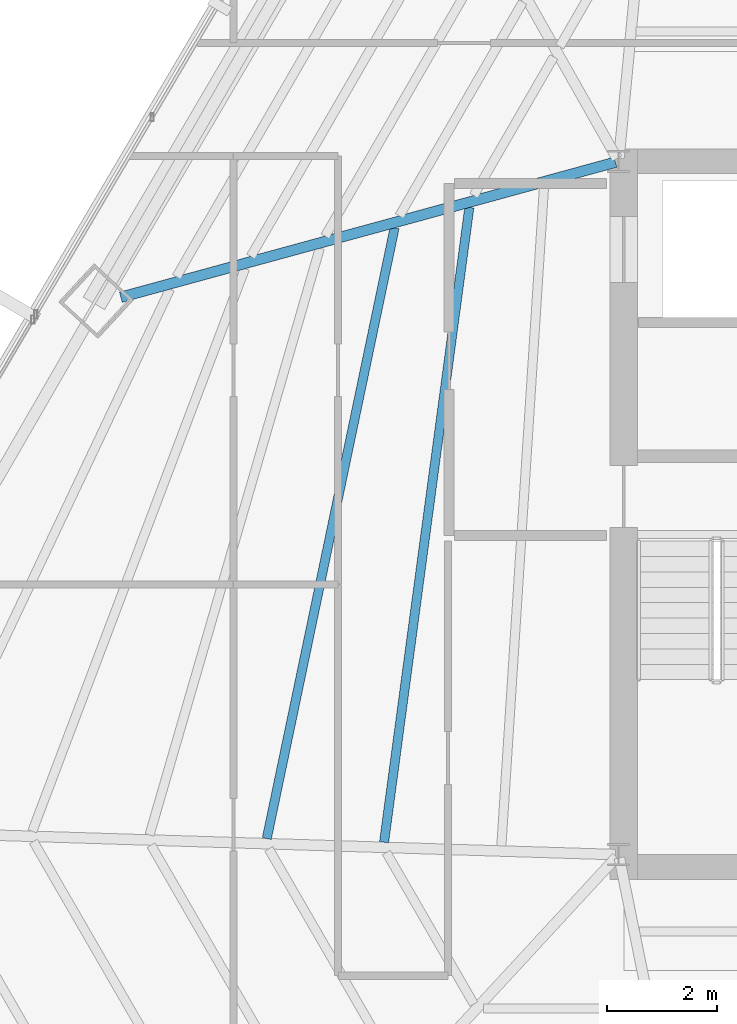
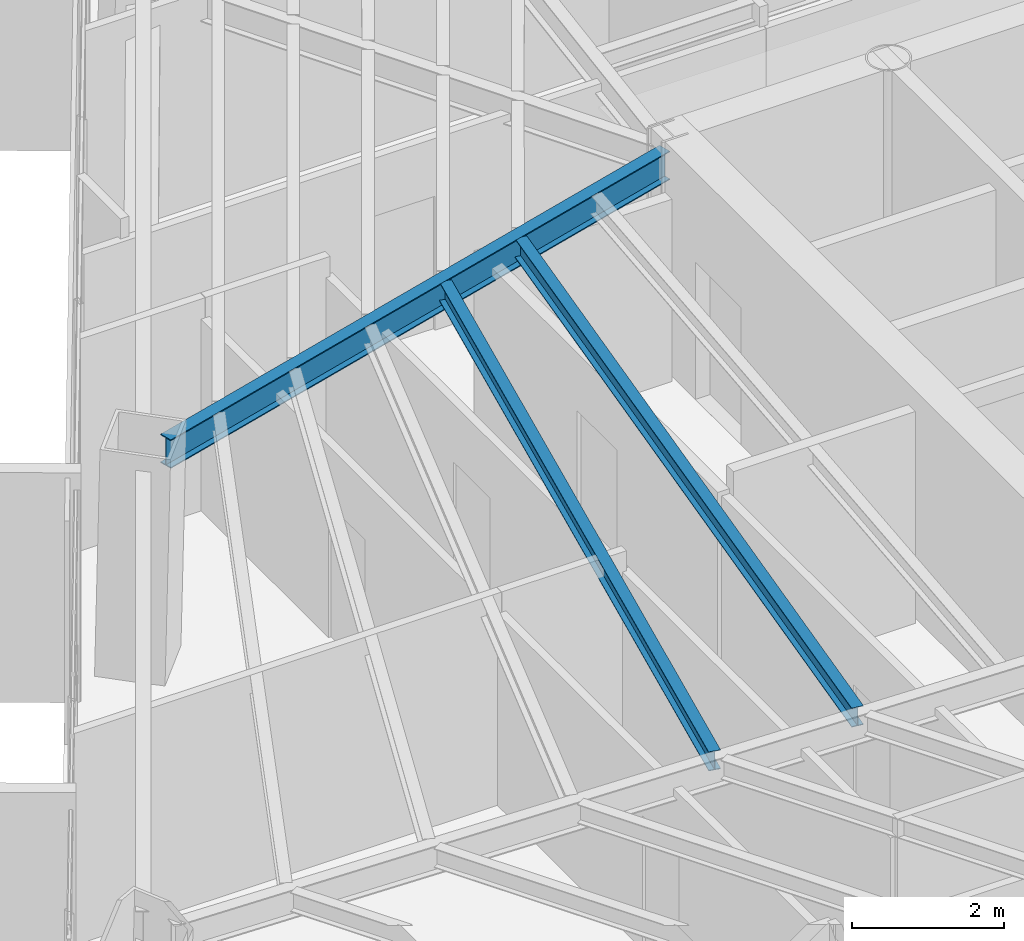
# One storey, part 13 of 41: 3 beams.
"""IFC4 building model written with IfcOpenShell, lengths in metres."""

from ifc_helpers import new_model, si_unit, direction, frame, origin, origin_2d, place, context, subcontext, project, spatial, i_section, extrude, source, transform, mapped, material, material_profile, profile_set, type_object, type_shapes, element, save


model = new_model("IFC4")

# Units and contexts
model_context = context("Model", 3, precision=1e-05, world=origin(), true_north=direction((0.0, 1.0)))
body_context = subcontext(model_context, "Body", "Model", "MODEL_VIEW")
ifc_project = project(units=[si_unit("LENGTHUNIT", "METRE"), si_unit("AREAUNIT", "SQUARE_METRE"), si_unit("VOLUMEUNIT", "CUBIC_METRE"), si_unit("PLANEANGLEUNIT", "RADIAN"), si_unit("MASSUNIT", "GRAM", prefix="KILO")], contexts=[model_context])

# Site, building, storey
site_placement = place(None, origin())
site = spatial("IfcSite", under=ifc_project, at=site_placement, CompositionType="ELEMENT")
building_placement = place(site_placement, origin())
building = spatial("IfcBuilding", under=site, at=building_placement, Name="Caelisora Broadcast Tower", CompositionType="ELEMENT")
storey_placement = place(building_placement, frame((0.0, 0.0, 165.800048828125)))
storey = spatial("IfcBuildingStorey", under=building, at=storey_placement, Name="L43", CompositionType="ELEMENT", Elevation=165.800048828125)

# Beams
ifc_material = material(Name="Steel Grade 350 (AS/NZS 3679.1)", Category="steel")
ifc_material_profile_1 = material_profile(ifc_material, i_section(OverallWidth=0.19091796875, OverallDepth=0.46044921875, WebThickness=0.010009765625, FlangeThickness=0.01611328125, at=origin_2d()), Name="Steel Grade 350 (AS/NZS 3679.1)")
ifc_profile_set_1 = profile_set([ifc_material_profile_1], Name="Steel Grade 350 (AS/NZS 3679.1)")
beam_type_1 = type_object("IfcBeamType", Name="PG06", PredefinedType="BEAM", material=ifc_profile_set_1)
shared_shape_1 = source(origin(), body_context, "Body", "SweptSolid", [
    extrude(i_section(OverallWidth=0.19091796875, OverallDepth=0.46044921875, WebThickness=0.010009765625, FlangeThickness=0.01611328125, at=origin_2d()), origin(), (0.0, 0.0, 1.0), 9.3173828125),
])
type_shapes(beam_type_1, [shared_shape_1])
beam_1_placement = place(storey_placement, frame((30.442138671875, 29.984130859375, 3.169677734375), z_axis=(-0.964697276385, -0.263361282151, 0.0), x_axis=(0.263361282151, -0.964697276385, 0.0)))
element("IfcBeam", 1, at=beam_1_placement, inside=storey, type_object=beam_type_1, Name="L43 beam PG06", PredefinedType="BEAM", context=body_context, shape_type="MappedRepresentation", body=[
    mapped(shared_shape_1, transform((0.0, 0.0, 0.0), scale=1.0)),
])
ifc_material_profile_2 = material_profile(ifc_material, i_section(OverallWidth=0.166015625, OverallDepth=0.30712890625, WebThickness=0.006591796875, FlangeThickness=0.01171875, at=origin_2d()), Name="Steel Grade 350 (AS/NZS 3679.1)")
ifc_profile_set_2 = profile_set([ifc_material_profile_2], Name="Steel Grade 350 (AS/NZS 3679.1)")
beam_type_2 = type_object("IfcBeamType", Name="SB03", PredefinedType="JOIST", material=ifc_profile_set_2)
shared_shape_2 = source(origin(), body_context, "Body", "SweptSolid", [
    extrude(i_section(OverallWidth=0.166015625, OverallDepth=0.30712890625, WebThickness=0.006591796875, FlangeThickness=0.01171875, at=origin_2d()), origin(), (0.0, 0.0, 1.0), 11.640380859375),
])
beam_2_placement = place(storey_placement, frame((27.7861328125, 29.1630859375, 3.246337890625), z_axis=(-0.133139055944, -0.991097367458, 0.0), x_axis=(0.991097367458, -0.133139055944, 0.0)))
element("IfcBeam", 2, at=beam_2_placement, inside=storey, type_object=beam_type_2, Name="L43 beam SB03", PredefinedType="JOIST", context=body_context, shape_type="MappedRepresentation", body=[
    mapped(shared_shape_2, transform((0.0, 0.0, 0.0), scale=1.0)),
])
shared_shape_3 = source(origin(), body_context, "Body", "SweptSolid", [
    extrude(i_section(OverallWidth=0.166015625, OverallDepth=0.30712890625, WebThickness=0.006591796875, FlangeThickness=0.01171875, at=origin_2d()), origin(), (0.0, 0.0, 1.0), 11.339599609375),
])
type_shapes(beam_type_2, [shared_shape_2, shared_shape_3])
beam_3_placement = place(storey_placement, frame((26.427978515625, 28.7919921875, 3.246337890625), z_axis=(-0.204836291762, -0.978796247223, 0.0), x_axis=(0.978796247223, -0.204836291762, 0.0)))
element("IfcBeam", 3, at=beam_3_placement, inside=storey, type_object=beam_type_2, Name="L43 beam SB03", PredefinedType="JOIST", context=body_context, shape_type="MappedRepresentation", body=[
    mapped(shared_shape_3, transform((0.0, 0.0, 0.0), scale=1.0)),
])

save(model, "model.ifc")
